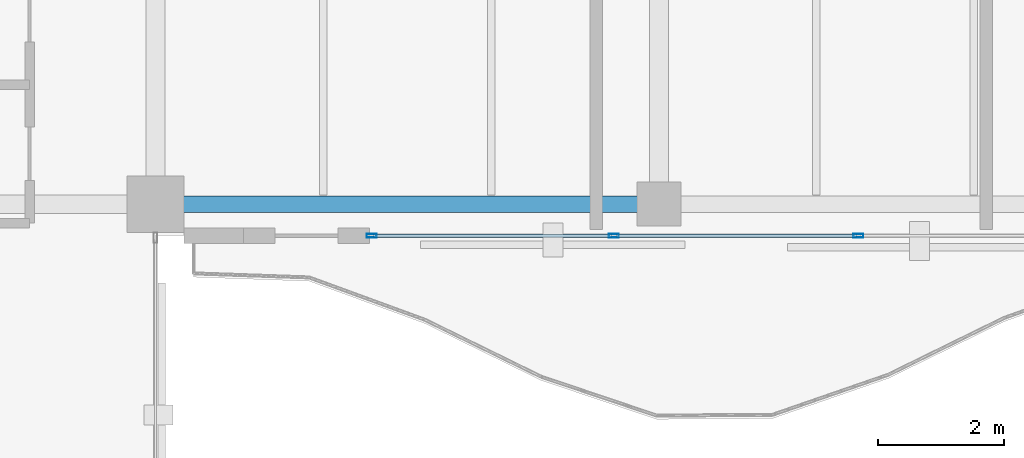
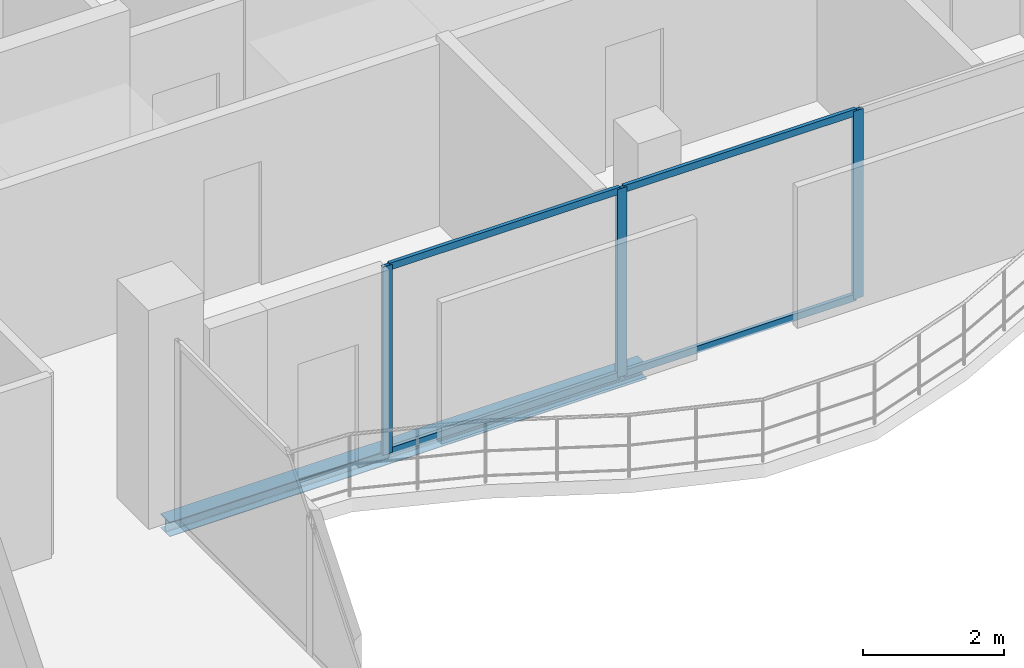
# One storey, part 6 of 18: 7 members, 1 beam, 1 element without a shape of its own.
"""IFC4 building model written with IfcOpenShell, lengths in metres."""

import ifcopenshell
import ifcopenshell.guid

model = None  # the IFC model being written
_history = None  # IfcOwnerHistory: only IFC2X3 demands one
_inside = {}  # id of a spatial element -> (the spatial element, [elements in it])
_under = {}  # id of a project, library or spatial element -> (it, [spatial elements below it])
_declared = {}  # id of a project -> (the project, [libraries it declares])
_typed = {}  # id of a type object -> (the type object, [elements of that type])
_made_of = {}  # id of a material, layer set ... -> (it, [elements and type objects made of it])


def new_model(schema):
    """Start an empty IFC model of exactly this schema.

    Asked for "IFC4X3", IfcOpenShell would pick the latest addendum, in which some entities
    have other attributes; the version numbers below select the first issue.
    IFC2X3 requires an IfcOwnerHistory on every rooted entity: one is made here for all.
    """
    global model, _history
    if schema == "IFC4X3":
        model = ifcopenshell.file(schema_version=(4, 3, 0, 0))
    else:
        model = ifcopenshell.file(schema=schema)
    _inside.clear()
    _under.clear()
    _declared.clear()
    _typed.clear()
    _made_of.clear()
    _history = None
    if model.schema == "IFC2X3":
        org = make("IfcOrganization", Name="unknown")
        user = make(
            "IfcPersonAndOrganization",
            ThePerson=make("IfcPerson", FamilyName="unknown"),
            TheOrganization=org,
        )
        app = make(
            "IfcApplication",
            ApplicationDeveloper=org,
            Version="unknown",
            ApplicationFullName="unknown",
            ApplicationIdentifier="unknown",
        )
        _history = make(
            "IfcOwnerHistory",
            OwningUser=user,
            OwningApplication=app,
            ChangeAction="ADDED",
            CreationDate=0,
        )
    return model


def make(cls, **values):
    """One entity of the class cls with the attributes given. An attribute that is None is left unset."""
    return model.create_entity(
        cls, **{name: value for name, value in values.items() if value is not None}
    )


def rooted(cls, **values):
    """An entity with a GlobalId (a new one), such as an element, a storey or a relation."""
    return make(cls, GlobalId=ifcopenshell.guid.new(), OwnerHistory=_history, **values)


def si_unit(unit_type, name, prefix=None):
    """IfcSIUnit, for example si_unit("LENGTHUNIT", "METRE", prefix="MILLI")."""
    return make("IfcSIUnit", UnitType=unit_type, Prefix=prefix, Name=name)


def assignment(units):
    """IfcUnitAssignment: the units of a project."""
    return None if units is None else make("IfcUnitAssignment", Units=units)


def point(xyz):
    """IfcCartesianPoint."""
    return None if xyz is None else make("IfcCartesianPoint", Coordinates=xyz)


def direction(xyz):
    """IfcDirection."""
    return None if xyz is None else make("IfcDirection", DirectionRatios=xyz)


def frame(location, z_axis=None, x_axis=None):
    """IfcAxis2Placement3D, a coordinate frame: its origin and axes. An axis left out is left unset."""
    return make(
        "IfcAxis2Placement3D",
        Location=point(location),
        Axis=direction(z_axis),
        RefDirection=direction(x_axis),
    )


def frame_2d(location, x_axis=None):
    """IfcAxis2Placement2D, a coordinate frame in the plane: its origin and x axis."""
    return make(
        "IfcAxis2Placement2D", Location=point(location), RefDirection=direction(x_axis)
    )


def origin():
    """The frame at (0, 0, 0) with its axes left unset."""
    return frame((0.0, 0.0, 0.0))


def origin_2d():
    """The frame at (0, 0) in the plane with its x axis left unset."""
    return frame_2d((0.0, 0.0))


def place(relative_to, where):
    """IfcLocalPlacement: puts the frame where relative to a parent placement (None: the world)."""
    return make(
        "IfcLocalPlacement", PlacementRelTo=relative_to, RelativePlacement=where
    )


def context(
    kind, dimensions, precision=None, world=None, true_north=None, identifier=None
):
    """IfcGeometricRepresentationContext, for example the 3D "Model" context."""
    return make(
        "IfcGeometricRepresentationContext",
        ContextIdentifier=identifier,
        ContextType=kind,
        CoordinateSpaceDimension=dimensions,
        Precision=precision,
        WorldCoordinateSystem=world,
        TrueNorth=true_north,
    )


def subcontext(parent, identifier, kind, view, scale=None):
    """IfcGeometricRepresentationSubContext, for example "Body" below "Model"."""
    return make(
        "IfcGeometricRepresentationSubContext",
        ContextIdentifier=identifier,
        ContextType=kind,
        ParentContext=parent,
        TargetScale=scale,
        TargetView=view,
    )


def project(units=None, contexts=None):
    """IfcProject with its units and contexts."""
    return rooted(
        "IfcProject",
        Name="project",
        RepresentationContexts=contexts,
        UnitsInContext=assignment(units),
    )


def spatial(cls, under=None, at=None, **own):
    """A site, building, storey or space (cls), placed at a placement, below another one or the project."""
    s = rooted(cls, ObjectPlacement=at, **own)
    if under is not None:
        _under.setdefault(under.id(), (under, []))[1].append(s)
    return s


def profile(cls, at=None, kind="AREA", **sizes):
    """A parametric profile (cls). Its sizes go by their IFC names, for example OverallWidth=200.0."""
    return make(cls, ProfileType=kind, Position=at, **sizes)


def hollow_rectangle(**sizes):
    """IfcRectangleHollowProfileDef."""
    return profile("IfcRectangleHollowProfileDef", **sizes)


def i_section(**sizes):
    """IfcIShapeProfileDef."""
    return profile("IfcIShapeProfileDef", **sizes)


def extrude(swept, where, along, depth):
    """IfcExtrudedAreaSolid: the profile swept, set in the frame where, extruded along a direction by depth."""
    return make(
        "IfcExtrudedAreaSolid",
        SweptArea=swept,
        Position=where,
        ExtrudedDirection=direction(along),
        Depth=depth,
    )


def shape(context_of_items, identifier, shape_type, items):
    """IfcShapeRepresentation: the items that make up one representation, for example the "Body"."""
    return make(
        "IfcShapeRepresentation",
        ContextOfItems=context_of_items,
        RepresentationIdentifier=identifier,
        RepresentationType=shape_type,
        Items=items,
    )


def material(Name=None, Category=None):
    """IfcMaterial."""
    return make("IfcMaterial", Name=Name, Category=Category)


def layer(
    of_material, thickness, ventilated=None, Name=None, Category=None, Priority=None
):
    """IfcMaterialLayer: one layer of a wall or slab, of a material (None: an air gap)."""
    return make(
        "IfcMaterialLayer",
        Material=of_material,
        LayerThickness=thickness,
        IsVentilated=ventilated,
        Name=Name,
        Category=Category,
        Priority=Priority,
    )


def layer_set(layers, Name=None):
    """IfcMaterialLayerSet."""
    return make("IfcMaterialLayerSet", MaterialLayers=layers, LayerSetName=Name)


def material_profile(
    of_material, cross_section, Name=None, Category=None, Priority=None
):
    """IfcMaterialProfile: a cross section and its material."""
    return make(
        "IfcMaterialProfile",
        Name=Name,
        Material=of_material,
        Profile=cross_section,
        Priority=Priority,
        Category=Category,
    )


def profile_set(profiles, Name=None, composite=None):
    """IfcMaterialProfileSet."""
    return make(
        "IfcMaterialProfileSet",
        Name=Name,
        MaterialProfiles=profiles,
        CompositeProfile=composite,
    )


def made_of(thing, what):
    """Note that an element or type object is made of a material, layer set ...; save() writes the relation."""
    if what is not None:
        _made_of.setdefault(what.id(), (what, []))[1].append(thing)
    return thing


def type_object(cls, material=None, **own):
    """A type object (cls), such as IfcWallType, which elements share."""
    return made_of(rooted(cls, **own), material)


def element(
    cls,
    number,
    at=None,
    inside=None,
    cuts=None,
    type_object=None,
    material=None,
    context=None,
    identifier="Body",
    shape_type=None,
    held_by="IfcProductDefinitionShape",
    body=None,
    shapes=None,
    **own,
):
    """One element of the class cls, such as IfcWall. Its Tag is "e" and its number.

    at: its placement. inside: the storey or other place that contains it. cuts: it is an
    opening in that element (IfcRelVoidsElement). A single representation is given by context,
    identifier, shape_type and body (its items); several are given by shapes. held_by: the class
    of the entity that holds the representations. save() writes the other relations.
    """
    e = rooted(cls, Tag="e%d" % number, ObjectPlacement=at, **own)
    if body is not None:
        shapes = [shape(context, identifier, shape_type, body)]
    if shapes is not None:
        e.Representation = make(held_by, Representations=shapes)
    if inside is not None:
        _inside.setdefault(inside.id(), (inside, []))[1].append(e)
    if cuts is not None:
        rooted(
            "IfcRelVoidsElement", RelatingBuildingElement=cuts, RelatedOpeningElement=e
        )
    if type_object is not None:
        _typed.setdefault(type_object.id(), (type_object, []))[1].append(e)
    return made_of(e, material)


def aggregate(whole, parts):
    """IfcRelAggregates: a whole, such as a stair, and the parts it consists of."""
    return rooted("IfcRelAggregates", RelatingObject=whole, RelatedObjects=parts)


def save(model, path):
    """Write the relations noted so far, then the file.

    IfcRelAggregates (storeys below a building ...), IfcRelContainedInSpatialStructure (elements
    in a storey), IfcRelDefinesByType, IfcRelAssociatesMaterial and IfcRelDeclares: one each for
    every whole, place, type object, material and project.
    """
    for whole, parts in _under.values():
        aggregate(whole, parts)
    for where, things in _inside.values():
        rooted(
            "IfcRelContainedInSpatialStructure",
            RelatedElements=things,
            RelatingStructure=where,
        )
    for kind, things in _typed.values():
        rooted("IfcRelDefinesByType", RelatedObjects=things, RelatingType=kind)
    for what, things in _made_of.values():
        rooted("IfcRelAssociatesMaterial", RelatedObjects=things, RelatingMaterial=what)
    for by, libraries in _declared.values():
        rooted("IfcRelDeclares", RelatingContext=by, RelatedDefinitions=libraries)
    model.write(path)


model = new_model("IFC4")

# Units and contexts
model_context = context("Model", 3, precision=1e-05, world=origin(), true_north=direction((0.0, 1.0)))
body_context = subcontext(model_context, "Body", "Model", "MODEL_VIEW")
ifc_project = project(units=[si_unit("LENGTHUNIT", "METRE"), si_unit("AREAUNIT", "SQUARE_METRE"), si_unit("VOLUMEUNIT", "CUBIC_METRE"), si_unit("PLANEANGLEUNIT", "RADIAN"), si_unit("MASSUNIT", "GRAM", prefix="KILO")], contexts=[model_context])

# Site, building, storey
site_placement = place(None, origin())
site = spatial("IfcSite", under=ifc_project, at=site_placement, CompositionType="ELEMENT")
building_placement = place(site_placement, origin())
building = spatial("IfcBuilding", under=site, at=building_placement, Name="Catumbela Crestline Tower", CompositionType="ELEMENT")
storey_placement = place(building_placement, frame((0.0, 0.0, 264.0)))
storey = spatial("IfcBuildingStorey", under=building, at=storey_placement, Name="L68", CompositionType="ELEMENT", Elevation=264.0)

# Curtain wall, members
ifc_material_1 = material(Name="Aluminium alloy AW-6060-T66", Category="aluminium")
ifc_layer = layer(ifc_material_1, 0.18, Name="Aluminium alloy AW-6060-T66")
ifc_layer_set = layer_set([ifc_layer], Name="Aluminium alloy AW-6060-T66")
curtain_wall_type = type_object("IfcCurtainWallType", Name="CWU-Z4", PredefinedType="USERDEFINED", material=ifc_layer_set)
curtain_wall_placement = place(storey_placement, origin())
curtain_wall = element("IfcCurtainWall", 1, at=curtain_wall_placement, inside=storey, type_object=curtain_wall_type, Name="L68 Unitised Curtain Wall CW-L68-E3S2", ObjectType="UNITISED", PredefinedType="USERDEFINED")
ifc_material_profile_1 = material_profile(ifc_material_1, hollow_rectangle(XDim=0.06, YDim=0.16, WallThickness=0.004, at=origin_2d()), Name="ALU 160x60x4")
ifc_profile_set_1 = profile_set([ifc_material_profile_1], Name="Aluminium alloy AW-6060-T66")
member_type_1 = type_object("IfcMemberType", Name="MUL-160X60", PredefinedType="MULLION", material=ifc_profile_set_1)
member_1_placement = place(storey_placement, frame((27.4325, 24.0, 0.0), z_axis=(0.0, 0.0, 1.0), x_axis=(0.0, 1.0, 0.0)))
member_1 = element("IfcMember", 2, at=member_1_placement, type_object=member_type_1, Name="CWU-Z4 mullion 1", PredefinedType="MULLION", context=body_context, shape_type="SweptSolid", body=[
    extrude(hollow_rectangle(XDim=0.06, YDim=0.16, WallThickness=0.004, at=origin_2d()), origin(), (0.0, 0.0, 1.0), 3.27),
])
member_2_placement = place(storey_placement, frame((31.2833, 24.0, 0.0), z_axis=(0.0, 0.0, 1.0), x_axis=(0.0, 1.0, 0.0)))
member_2 = element("IfcMember", 3, at=member_2_placement, type_object=member_type_1, Name="CWU-Z4 mullion 2", PredefinedType="MULLION", context=body_context, shape_type="SweptSolid", body=[
    extrude(hollow_rectangle(XDim=0.06, YDim=0.16, WallThickness=0.004, at=origin_2d()), origin(), (0.0, 0.0, 1.0), 3.27),
])
member_3_placement = place(storey_placement, frame((35.1667, 24.0, 0.0), z_axis=(0.0, 0.0, 1.0), x_axis=(0.0, 1.0, 0.0)))
member_3 = element("IfcMember", 4, at=member_3_placement, type_object=member_type_1, Name="CWU-Z4 mullion 3", PredefinedType="MULLION", context=body_context, shape_type="SweptSolid", body=[
    extrude(hollow_rectangle(XDim=0.06, YDim=0.16, WallThickness=0.004, at=origin_2d()), origin(), (0.0, 0.0, 1.0), 3.27),
])

# Beam
ifc_material_2 = material(Name="Structural steel S355J2", Category="steel")
ifc_material_profile_2 = material_profile(ifc_material_2, i_section(OverallWidth=0.26, OverallDepth=0.25, WebThickness=0.0075, FlangeThickness=0.0125, FilletRadius=0.024, at=origin_2d()), Name="HEA 260")
ifc_profile_set_2 = profile_set([ifc_material_profile_2], Name="Structural steel S355J2")
beam_type = type_object("IfcBeamType", Name="BS-HEA260", PredefinedType="SPANDREL", material=ifc_profile_set_2)
beam_placement = place(storey_placement, frame((24.08, 24.5, -0.385), z_axis=(1.0, 0.0, 0.0), x_axis=(0.0, 1.0, 0.0)))
element("IfcBeam", 5, at=beam_placement, inside=storey, type_object=beam_type, Name="L68 Spandrel SP-L68-S02", PredefinedType="SPANDREL", context=body_context, shape_type="SweptSolid", body=[
    extrude(i_section(OverallWidth=0.26, OverallDepth=0.25, WebThickness=0.0075, FlangeThickness=0.0125, FilletRadius=0.024, at=origin_2d()), origin(), (0.0, 0.0, 1.0), 7.84),
])

# Member
ifc_material_profile_3 = material_profile(ifc_material_1, hollow_rectangle(XDim=0.06, YDim=0.12, WallThickness=0.0035, at=origin_2d()), Name="ALU 120x60x3.5")
ifc_profile_set_3 = profile_set([ifc_material_profile_3], Name="Aluminium alloy AW-6060-T66")
member_type_2 = type_object("IfcMemberType", Name="TRN-120X60", PredefinedType="USERDEFINED", material=ifc_profile_set_3)
member_4_placement = place(storey_placement, frame((27.465, 24.0, 0.03), z_axis=(1.0, 0.0, 0.0), x_axis=(0.0, 1.0, 0.0)))
member_4 = element("IfcMember", 6, at=member_4_placement, type_object=member_type_2, Name="CWU-Z4 transom 1.1", ObjectType="TRANSOM", PredefinedType="USERDEFINED", context=body_context, shape_type="SweptSolid", body=[
    extrude(hollow_rectangle(XDim=0.06, YDim=0.12, WallThickness=0.0035, at=origin_2d()), origin(), (0.0, 0.0, 1.0), 3.7858),
])

member_5_placement = place(storey_placement, frame((27.465, 24.0, 3.24), z_axis=(1.0, 0.0, 0.0), x_axis=(0.0, 1.0, 0.0)))
member_5 = element("IfcMember", 7, at=member_5_placement, type_object=member_type_2, Name="CWU-Z4 transom 1.2", ObjectType="TRANSOM", PredefinedType="USERDEFINED", context=body_context, shape_type="SweptSolid", body=[
    extrude(hollow_rectangle(XDim=0.06, YDim=0.12, WallThickness=0.0035, at=origin_2d()), origin(), (0.0, 0.0, 1.0), 3.7858),
])

member_6_placement = place(storey_placement, frame((31.3158, 24.0, 0.03), z_axis=(1.0, 0.0, 0.0), x_axis=(0.0, 1.0, 0.0)))
member_6 = element("IfcMember", 8, at=member_6_placement, type_object=member_type_2, Name="CWU-Z4 transom 2.1", ObjectType="TRANSOM", PredefinedType="USERDEFINED", context=body_context, shape_type="SweptSolid", body=[
    extrude(hollow_rectangle(XDim=0.06, YDim=0.12, WallThickness=0.0035, at=origin_2d()), origin(), (0.0, 0.0, 1.0), 3.8184),
])

member_7_placement = place(storey_placement, frame((31.3158, 24.0, 3.24), z_axis=(1.0, 0.0, 0.0), x_axis=(0.0, 1.0, 0.0)))
member_7 = element("IfcMember", 9, at=member_7_placement, type_object=member_type_2, Name="CWU-Z4 transom 2.2", ObjectType="TRANSOM", PredefinedType="USERDEFINED", context=body_context, shape_type="SweptSolid", body=[
    extrude(hollow_rectangle(XDim=0.06, YDim=0.12, WallThickness=0.0035, at=origin_2d()), origin(), (0.0, 0.0, 1.0), 3.8184),
])

aggregate(curtain_wall, [member_1, member_2, member_3, member_4, member_5, member_6, member_7])

save(model, "model.ifc")
